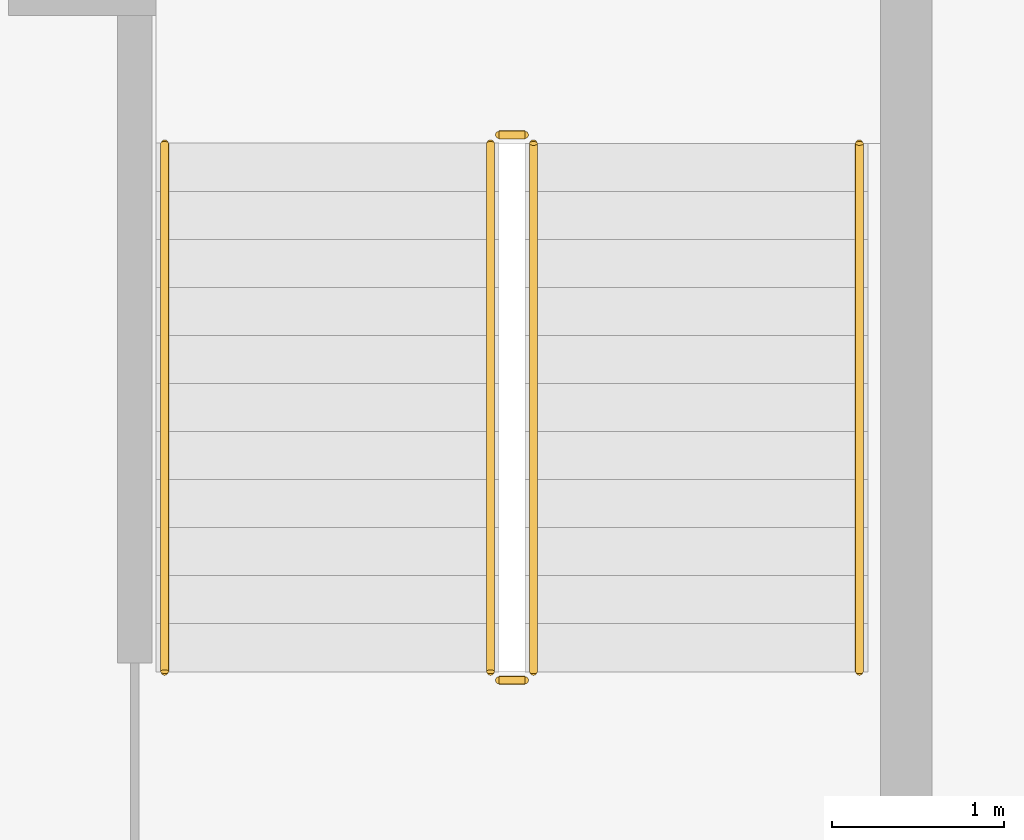
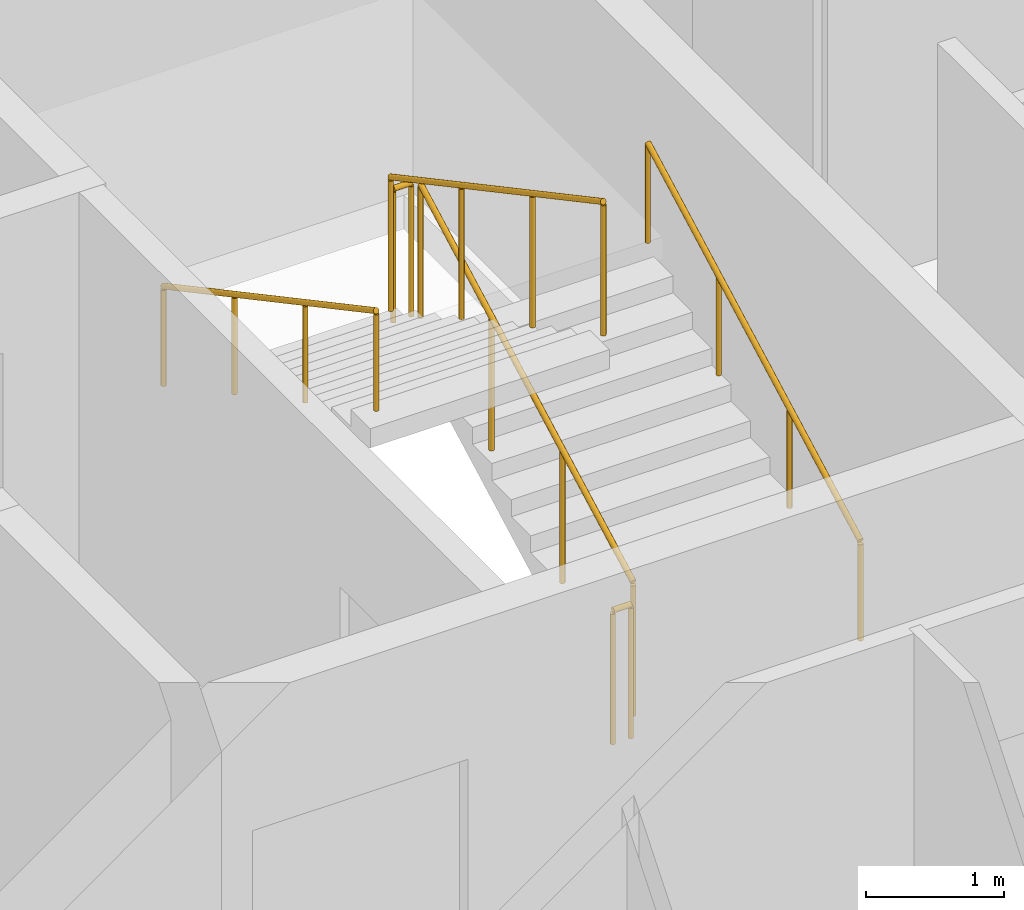
# One storey, part 14 of 14: 6 railings.
"""IFC4 building model written with IfcOpenShell, lengths in metres."""

from ifc_helpers import new_model, si_unit, direction, frame, origin, origin_2d, place, context, subcontext, project, spatial, circle, extrude, material, type_object, element, save


model = new_model("IFC4")

# Units and contexts
model_context = context("Model", 3, precision=1e-05, world=origin(), true_north=direction((0.0, 1.0)))
body_context = subcontext(model_context, "Body", "Model", "MODEL_VIEW")
ifc_project = project(units=[si_unit("LENGTHUNIT", "METRE"), si_unit("AREAUNIT", "SQUARE_METRE"), si_unit("VOLUMEUNIT", "CUBIC_METRE"), si_unit("PLANEANGLEUNIT", "RADIAN"), si_unit("MASSUNIT", "GRAM", prefix="KILO")], contexts=[model_context])

# Site, building, storey
site_placement = place(None, origin())
site = spatial("IfcSite", under=ifc_project, at=site_placement, CompositionType="ELEMENT")
building_placement = place(site_placement, origin())
building = spatial("IfcBuilding", under=site, at=building_placement, Name="Caravel Reach Hotel and Residences", CompositionType="ELEMENT")
storey_placement = place(building_placement, frame((0.0, 0.0, 118.800048828125)))
storey = spatial("IfcBuildingStorey", under=building, at=storey_placement, Name="L29", CompositionType="ELEMENT", Elevation=118.800048828125)

# Railings
ifc_material_1 = material(Name="Steel balustrade with glass infill", Category="steel")
railing_type_1 = type_object("IfcRailingType", Name="Guard 1200", PredefinedType="GUARDRAIL", material=ifc_material_1)
railing_1_placement = place(storey_placement, frame((42.824951171875, 24.64990234375, 0.14990234375)))
element("IfcRailing", 1, at=railing_1_placement, inside=storey, type_object=railing_type_1, Name="L29 ST-B stair guard 1", PredefinedType="GUARDRAIL", context=body_context, shape_type="SweptSolid", body=[
    extrude(circle(Radius=0.02392578125, at=origin_2d()), frame((0.0, 0.0, 1.17578125), z_axis=(0.0, 0.881467505477, 0.472244678941), x_axis=(-1.0, 0.0, 0.0)), (0.0, 0.0, 1.0), 3.494140625),
    extrude(circle(Radius=0.02099609375, at=origin_2d()), origin(), (0.0, 0.0, 1.0), 1.15185546875),
    extrude(circle(Radius=0.02099609375, at=origin_2d()), frame((0.0, 1.026611328125, 0.550048828125)), (0.0, 0.0, 1.0), 1.15185546875),
    extrude(circle(Radius=0.02099609375, at=origin_2d()), frame((0.0, 2.053466796875, 1.10009765625)), (0.0, 0.0, 1.0), 1.15185546875),
    extrude(circle(Radius=0.02099609375, at=origin_2d()), frame((0.0, 3.080078125, 1.650146484375)), (0.0, 0.0, 1.0), 1.15185546875),
])
railing_2_placement = place(storey_placement, frame((42.77490234375, 27.780029296875, 1.800048828125)))
element("IfcRailing", 2, at=railing_2_placement, inside=storey, type_object=railing_type_1, Name="L29 ST-B stair guard 2", PredefinedType="GUARDRAIL", context=body_context, shape_type="SweptSolid", body=[
    extrude(circle(Radius=0.02392578125, at=origin_2d()), frame((0.0, 0.0, 1.17578125), z_axis=(-1.0, 0.0, 0.0), x_axis=(0.0, -1.0, 0.0)), (0.0, 0.0, 1.0), 0.14990234375),
    extrude(circle(Radius=0.02099609375, at=origin_2d()), origin(), (0.0, 0.0, 1.0), 1.15185546875),
    extrude(circle(Radius=0.02099609375, at=origin_2d()), frame((-0.14990234375, 0.0, 0.0)), (0.0, 0.0, 1.0), 1.15185546875),
])
railing_3_placement = place(storey_placement, frame((42.574951171875, 27.72998046875, 1.949951171875)))
element("IfcRailing", 3, at=railing_3_placement, inside=storey, type_object=railing_type_1, Name="L29 ST-B stair guard 3", PredefinedType="GUARDRAIL", context=body_context, shape_type="SweptSolid", body=[
    extrude(circle(Radius=0.02392578125, at=origin_2d()), frame((0.0, 0.0, 1.17578125), z_axis=(0.0, -0.881496589024, 0.472190389079), x_axis=(1.0, 0.0, 0.0)), (0.0, 0.0, 1.0), 3.494140625),
    extrude(circle(Radius=0.02099609375, at=origin_2d()), origin(), (0.0, 0.0, 1.0), 1.15185546875),
    extrude(circle(Radius=0.02099609375, at=origin_2d()), frame((0.0, -1.026611328125, 0.550048828125)), (0.0, 0.0, 1.0), 1.15185546875),
    extrude(circle(Radius=0.02099609375, at=origin_2d()), frame((0.0, -2.053466796875, 1.099853515625)), (0.0, 0.0, 1.0), 1.15185546875),
    extrude(circle(Radius=0.02099609375, at=origin_2d()), frame((0.0, -3.080078125, 1.64990234375)), (0.0, 0.0, 1.0), 1.15185546875),
])
railing_4_placement = place(storey_placement, frame((42.77490234375, 24.60009765625, 0.0)))
element("IfcRailing", 4, at=railing_4_placement, inside=storey, type_object=railing_type_1, Name="L29 ST-B stair guard 4", PredefinedType="GUARDRAIL", context=body_context, shape_type="SweptSolid", body=[
    extrude(circle(Radius=0.02392578125, at=origin_2d()), frame((0.0, 0.0, 1.17578125), z_axis=(-1.0, 0.0, 0.0), x_axis=(0.0, -1.0, 0.0)), (0.0, 0.0, 1.0), 0.14990234375),
    extrude(circle(Radius=0.02099609375, at=origin_2d()), origin(), (0.0, 0.0, 1.0), 1.15185546875),
    extrude(circle(Radius=0.02099609375, at=origin_2d()), frame((-0.14990234375, 0.0, 0.0)), (0.0, 0.0, 1.0), 1.15185546875),
])
ifc_material_2 = material(Name="Stainless steel handrail", Category="steel")
railing_type_2 = type_object("IfcRailingType", Name="Handrail 900", PredefinedType="HANDRAIL", material=ifc_material_2)
railing_5_placement = place(storey_placement, frame((44.72509765625, 24.64990234375, 0.14990234375)))
element("IfcRailing", 5, at=railing_5_placement, inside=storey, type_object=railing_type_2, Name="L29 ST-B stair handrail 1", PredefinedType="HANDRAIL", context=body_context, shape_type="SweptSolid", body=[
    extrude(circle(Radius=0.02392578125, at=origin_2d()), frame((0.0, 0.0, 0.8759765625), z_axis=(0.0, 0.881467505477, 0.472244678941), x_axis=(-1.0, 0.0, 0.0)), (0.0, 0.0, 1.0), 3.494140625),
    extrude(circle(Radius=0.02099609375, at=origin_2d()), origin(), (0.0, 0.0, 1.0), 0.851806640625),
    extrude(circle(Radius=0.02099609375, at=origin_2d()), frame((0.0, 1.026611328125, 0.550048828125)), (0.0, 0.0, 1.0), 0.851806640625),
    extrude(circle(Radius=0.02099609375, at=origin_2d()), frame((0.0, 2.053466796875, 1.10009765625)), (0.0, 0.0, 1.0), 0.851806640625),
    extrude(circle(Radius=0.02099609375, at=origin_2d()), frame((0.0, 3.080078125, 1.650146484375)), (0.0, 0.0, 1.0), 0.851806640625),
])
railing_6_placement = place(storey_placement, frame((40.675048828125, 27.72998046875, 1.949951171875)))
element("IfcRailing", 6, at=railing_6_placement, inside=storey, type_object=railing_type_2, Name="L29 ST-B stair handrail 2", PredefinedType="HANDRAIL", context=body_context, shape_type="SweptSolid", body=[
    extrude(circle(Radius=0.02392578125, at=origin_2d()), frame((0.0, 0.0, 0.8759765625), z_axis=(0.0, -0.881496589024, 0.472190389079), x_axis=(1.0, 0.0, 0.0)), (0.0, 0.0, 1.0), 3.494140625),
    extrude(circle(Radius=0.02099609375, at=origin_2d()), origin(), (0.0, 0.0, 1.0), 0.851806640625),
    extrude(circle(Radius=0.02099609375, at=origin_2d()), frame((0.0, -1.026611328125, 0.550048828125)), (0.0, 0.0, 1.0), 0.851806640625),
    extrude(circle(Radius=0.02099609375, at=origin_2d()), frame((0.0, -2.053466796875, 1.099853515625)), (0.0, 0.0, 1.0), 0.851806640625),
    extrude(circle(Radius=0.02099609375, at=origin_2d()), frame((0.0, -3.080078125, 1.64990234375)), (0.0, 0.0, 1.0), 0.851806640625),
])

save(model, "model.ifc")
